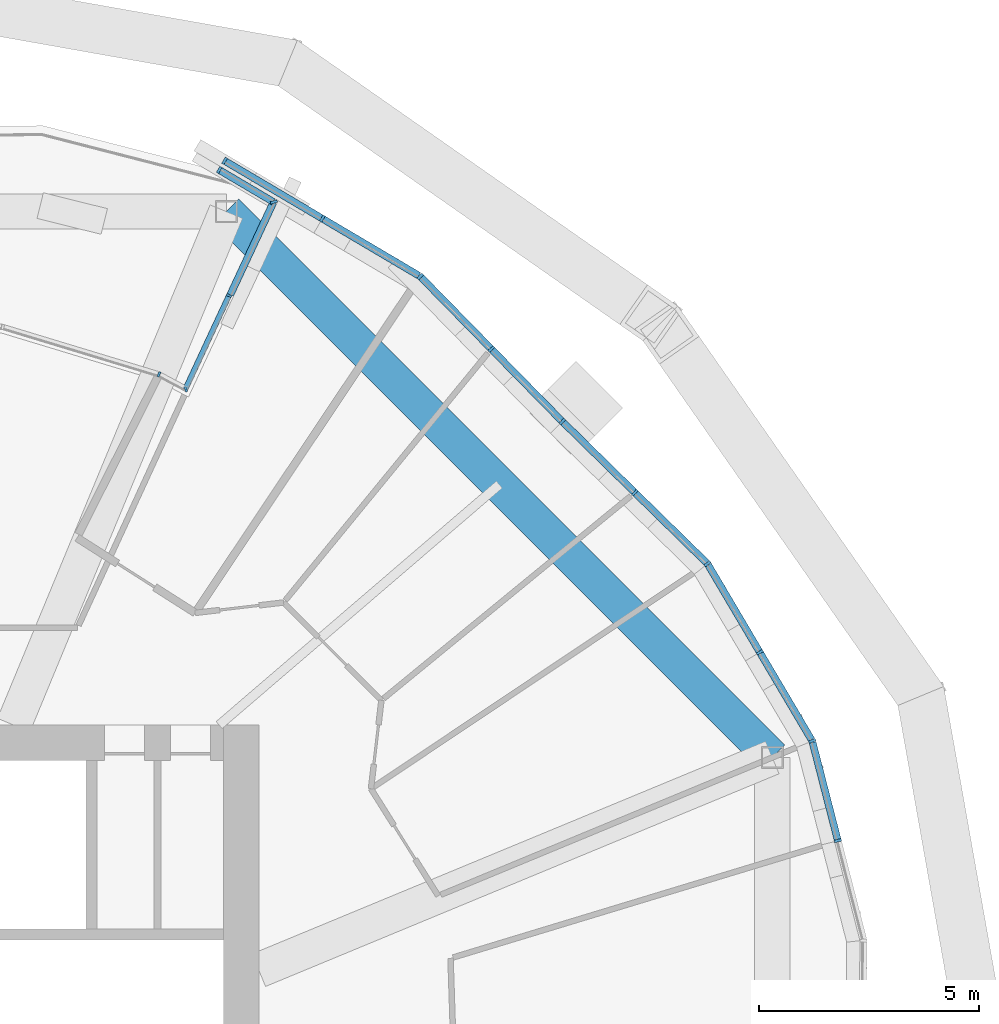
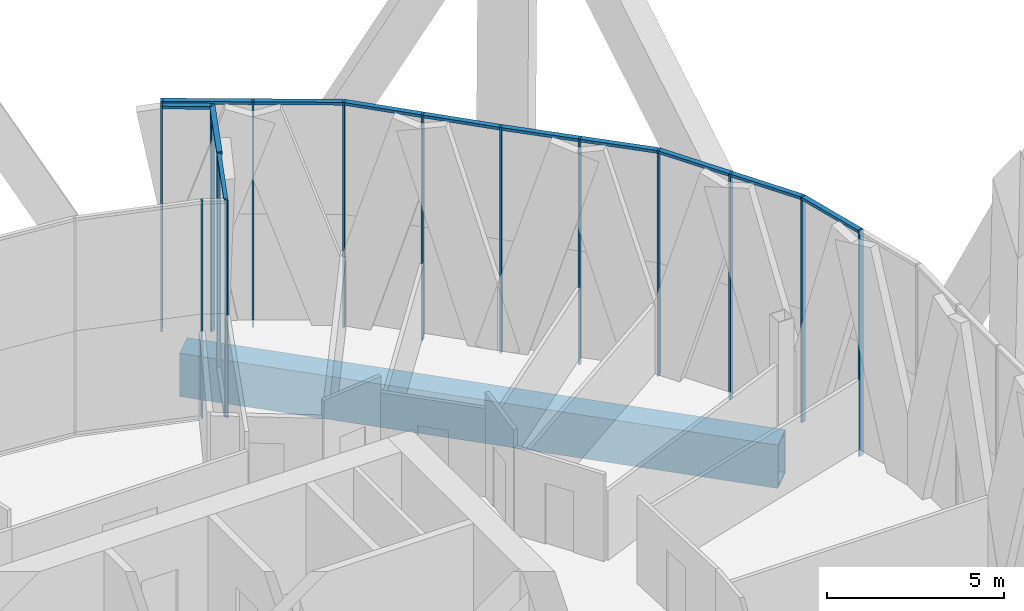
# One storey, part 9 of 31: 28 members, 1 beam, 5 elements without a shape of their own.
"""IFC4 building model written with IfcOpenShell, lengths in metres."""

from ifc_helpers import new_model, si_unit, direction, frame, origin, origin_2d, place, context, subcontext, project, spatial, rectangle, hollow_rectangle, extrude, material, material_profile, profile_set, type_object, element, aggregate, save


model = new_model("IFC4")

# Units and contexts
model_context = context("Model", 3, precision=1e-05, world=origin(), true_north=direction((0.0, 1.0)))
body_context = subcontext(model_context, "Body", "Model", "MODEL_VIEW")
ifc_project = project(units=[si_unit("LENGTHUNIT", "METRE"), si_unit("AREAUNIT", "SQUARE_METRE"), si_unit("VOLUMEUNIT", "CUBIC_METRE"), si_unit("PLANEANGLEUNIT", "RADIAN"), si_unit("MASSUNIT", "GRAM", prefix="KILO")], contexts=[model_context])

# Site, building, storey
site_placement = place(None, origin())
site = spatial("IfcSite", under=ifc_project, at=site_placement, CompositionType="ELEMENT")
building_placement = place(site_placement, origin())
building = spatial("IfcBuilding", under=site, at=building_placement, Name="Ogive Gate Towers", CompositionType="ELEMENT")
storey_placement = place(building_placement, frame((0.0, 0.0, 55.800048828125)))
storey = spatial("IfcBuildingStorey", under=building, at=storey_placement, Name="L12", CompositionType="ELEMENT", Elevation=55.800048828125)

# Beam
ifc_material_1 = material(Name="Steel SM460", Category="steel")
ifc_material_profile_1 = material_profile(ifc_material_1, hollow_rectangle(XDim=0.800048828125, YDim=1.5, WallThickness=0.06005859375, at=origin_2d()), Name="BX 1500x800x60")
ifc_profile_set_1 = profile_set([ifc_material_profile_1], Name="Steel SM460")
beam_type = type_object("IfcBeamType", Name="Edge girder BX 1500x800x60", PredefinedType="BEAM", material=ifc_profile_set_1)
beam_placement = place(storey_placement, frame((-14.84326171875, 8.763427734375, -1.050048828125), z_axis=(-0.707106781187, 0.707106781187, 0.0), x_axis=(-0.707106781187, -0.707106781187, 0.0)))
element("IfcBeam", 1, at=beam_placement, inside=storey, type_object=beam_type, Name="T1/L12/SBM021", PredefinedType="BEAM", context=body_context, shape_type="SweptSolid", body=[
    extrude(hollow_rectangle(XDim=0.800048828125, YDim=1.5, WallThickness=0.06005859375, at=origin_2d()), origin(), (0.0, 0.0, 1.0), 17.52685546875),
])

# Curtain wall, members
ifc_material_2 = material(Name="Pale metal aluminium", Category="aluminium")
curtain_wall_type_1 = type_object("IfcCurtainWallType", Name="Sky garden glazing", PredefinedType="NOTDEFINED", material=ifc_material_2)
curtain_wall_1_placement = place(storey_placement, origin())
curtain_wall_1 = element("IfcCurtainWall", 2, at=curtain_wall_1_placement, inside=storey, type_object=curtain_wall_type_1, Name="CW4 T1 ECW01", PredefinedType="NOTDEFINED")
ifc_material_profile_2 = material_profile(ifc_material_2, rectangle(XDim=0.1201171875, YDim=0.050048828125, at=origin_2d()), Name="50 x 120 aluminium box")
ifc_profile_set_2 = profile_set([ifc_material_profile_2], Name="Pale metal aluminium")
member_type_1 = type_object("IfcMemberType", Name="Sky garden glazing mullion 50 x 120", PredefinedType="MULLION", material=ifc_profile_set_2)
member_1_placement = place(storey_placement, frame((-28.76708984375, 17.4619140625, 0.0), z_axis=(0.0, 0.0, 1.0), x_axis=(-0.382699557047, -0.923872853285, 0.0)))
member_1 = element("IfcMember", 3, at=member_1_placement, type_object=member_type_1, Name="CW4 mullion", PredefinedType="MULLION", context=body_context, shape_type="SweptSolid", body=[
    extrude(rectangle(XDim=0.1201171875, YDim=0.050048828125, at=origin_2d()), origin(), (0.0, 0.0, 1.0), 7.5),
])
member_2_placement = place(storey_placement, frame((-28.15673828125, 17.12158203125, 0.0), z_axis=(0.0, 0.0, 1.0), x_axis=(0.31626172848, -0.948671976554, 0.0)))
member_2 = element("IfcMember", 4, at=member_2_placement, type_object=member_type_1, Name="CW4 mullion", PredefinedType="MULLION", context=body_context, shape_type="SweptSolid", body=[
    extrude(rectangle(XDim=0.1201171875, YDim=0.050048828125, at=origin_2d()), origin(), (0.0, 0.0, 1.0), 7.5),
])
member_3_placement = place(storey_placement, frame((-27.17822265625, 19.24951171875, 0.0), z_axis=(0.0, 0.0, 1.0), x_axis=(0.906307787037, -0.422618261741, 0.0)))
member_3 = element("IfcMember", 5, at=member_3_placement, type_object=member_type_1, Name="CW4 mullion", PredefinedType="MULLION", context=body_context, shape_type="SweptSolid", body=[
    extrude(rectangle(XDim=0.1201171875, YDim=0.050048828125, at=origin_2d()), origin(), (0.0, 0.0, 1.0), 7.5),
])
ifc_material_profile_3 = material_profile(ifc_material_2, rectangle(XDim=0.1201171875, YDim=0.10009765625, at=origin_2d()), Name="100 x 120 aluminium box")
ifc_profile_set_3 = profile_set([ifc_material_profile_3], Name="Pale metal aluminium")
member_type_2 = type_object("IfcMemberType", Name="Sky garden glazing transom 100 x 120", PredefinedType="USERDEFINED", material=ifc_profile_set_3)
member_4_placement = place(storey_placement, frame((-28.169921875, 17.123291015625, 7.449951171875), z_axis=(0.422729988064, 0.906255679812, 0.0), x_axis=(-0.906255679812, 0.422729988064, 0.0)))
member_4 = element("IfcMember", 6, at=member_4_placement, type_object=member_type_2, Name="CW4 transom", ObjectType="TRANSOM", PredefinedType="USERDEFINED", context=body_context, shape_type="SweptSolid", body=[
    extrude(rectangle(XDim=0.1201171875, YDim=0.10009765625, at=origin_2d()), origin(), (0.0, 0.0, 1.0), 2.321044921875),
])
member_5_placement = place(storey_placement, frame((-28.169921875, 17.123291015625, 0.050048828125), z_axis=(0.422729988064, 0.906255679812, 0.0), x_axis=(-0.906255679812, 0.422729988064, 0.0)))
member_5 = element("IfcMember", 7, at=member_5_placement, type_object=member_type_2, Name="CW4 transom", ObjectType="TRANSOM", PredefinedType="USERDEFINED", context=body_context, shape_type="SweptSolid", body=[
    extrude(rectangle(XDim=0.1201171875, YDim=0.10009765625, at=origin_2d()), origin(), (0.0, 0.0, 1.0), 2.321044921875),
])
aggregate(curtain_wall_1, [member_1, member_2, member_3, member_4, member_5])

curtain_wall_type_2 = type_object("IfcCurtainWallType", Name="Tower unitised wall, low zone", PredefinedType="NOTDEFINED", material=ifc_material_2)
curtain_wall_2_placement = place(storey_placement, origin())
curtain_wall_2 = element("IfcCurtainWall", 8, at=curtain_wall_2_placement, inside=storey, type_object=curtain_wall_type_2, Name="CW1 T1 ECW03", PredefinedType="NOTDEFINED")
ifc_material_profile_4 = material_profile(ifc_material_2, rectangle(XDim=0.159912109375, YDim=0.06005859375, at=origin_2d()), Name="60 x 160 aluminium box")
ifc_profile_set_4 = profile_set([ifc_material_profile_4], Name="Pale metal aluminium")
member_type_3 = type_object("IfcMemberType", Name="Tower unitised wall, low zone mullion 60 x 160", PredefinedType="MULLION", material=ifc_profile_set_4)
member_6_placement = place(storey_placement, frame((-19.609375, 16.390869140625, -0.300048828125), z_axis=(0.0, 0.0, 1.0), x_axis=(-0.699800496526, -0.714338340748, 0.0)))
member_6 = element("IfcMember", 9, at=member_6_placement, type_object=member_type_3, Name="CW1 mullion", PredefinedType="MULLION", context=body_context, shape_type="SweptSolid", body=[
    extrude(rectangle(XDim=0.159912109375, YDim=0.06005859375, at=origin_2d()), origin(), (0.0, 0.0, 1.0), 7.800048828125),
])
member_7_placement = place(storey_placement, frame((-17.96337890625, 14.7783203125, -0.300048828125), z_axis=(0.0, 0.0, 1.0), x_axis=(-0.699788028863, -0.714350554462, 0.0)))
member_7 = element("IfcMember", 10, at=member_7_placement, type_object=member_type_3, Name="CW1 mullion", PredefinedType="MULLION", context=body_context, shape_type="SweptSolid", body=[
    extrude(rectangle(XDim=0.159912109375, YDim=0.06005859375, at=origin_2d()), origin(), (0.0, 0.0, 1.0), 7.800048828125),
])
member_8_placement = place(storey_placement, frame((-16.3154296875, 13.163818359375, -0.300048828125), z_axis=(0.0, 0.0, 1.0), x_axis=(-0.787075002703, -0.616857309367, 0.0)))
member_8 = element("IfcMember", 11, at=member_8_placement, type_object=member_type_3, Name="CW1 mullion", PredefinedType="MULLION", context=body_context, shape_type="SweptSolid", body=[
    extrude(rectangle(XDim=0.159912109375, YDim=0.06005859375, at=origin_2d()), origin(), (0.0, 0.0, 1.0), 7.800048828125),
])
member_9_placement = place(storey_placement, frame((-15.1259765625, 11.151611328125, -0.300048828125), z_axis=(0.0, 0.0, 1.0), x_axis=(-0.860901904603, -0.508770980552, 0.0)))
member_9 = element("IfcMember", 12, at=member_9_placement, type_object=member_type_3, Name="CW1 mullion", PredefinedType="MULLION", context=body_context, shape_type="SweptSolid", body=[
    extrude(rectangle(XDim=0.159912109375, YDim=0.06005859375, at=origin_2d()), origin(), (0.0, 0.0, 1.0), 7.800048828125),
])
member_10_placement = place(storey_placement, frame((-13.936767578125, 9.138916015625, -0.300048828125), z_axis=(0.0, 0.0, 1.0), x_axis=(-0.923879532511, -0.382683432365, 0.0)))
member_10 = element("IfcMember", 13, at=member_10_placement, type_object=member_type_3, Name="CW1 mullion", PredefinedType="MULLION", context=body_context, shape_type="SweptSolid", body=[
    extrude(rectangle(XDim=0.159912109375, YDim=0.06005859375, at=origin_2d()), origin(), (0.0, 0.0, 1.0), 7.800048828125),
])
member_11_placement = place(storey_placement, frame((-13.3544921875, 6.874755859375, -0.300048828125), z_axis=(0.0, 0.0, 1.0), x_axis=(-0.96850933072, -0.248977260623, 0.0)))
member_11 = element("IfcMember", 14, at=member_11_placement, type_object=member_type_3, Name="CW1 mullion", PredefinedType="MULLION", context=body_context, shape_type="SweptSolid", body=[
    extrude(rectangle(XDim=0.159912109375, YDim=0.06005859375, at=origin_2d()), origin(), (0.0, 0.0, 1.0), 7.800048828125),
])

curtain_wall_3_placement = place(storey_placement, origin())
curtain_wall_3 = element("IfcCurtainWall", 15, at=curtain_wall_3_placement, inside=storey, type_object=curtain_wall_type_2, Name="CW1 T1 ECW04", PredefinedType="NOTDEFINED")
member_12_placement = place(storey_placement, frame((-22.834228515625, 19.682861328125, -0.300048828125), z_axis=(0.0, 0.0, 1.0), x_axis=(-0.714362767958, -0.699775560987, 0.0)))
member_12 = element("IfcMember", 16, at=member_12_placement, type_object=member_type_3, Name="CW1 mullion", PredefinedType="MULLION", context=body_context, shape_type="SweptSolid", body=[
    extrude(rectangle(XDim=0.159912109375, YDim=0.06005859375, at=origin_2d()), origin(), (0.0, 0.0, 1.0), 7.800048828125),
])
member_13_placement = place(storey_placement, frame((-21.2216796875, 18.03662109375, -0.300048828125), z_axis=(0.0, 0.0, 1.0), x_axis=(-0.714350554462, -0.699788028863, 0.0)))
member_13 = element("IfcMember", 17, at=member_13_placement, type_object=member_type_3, Name="CW1 mullion", PredefinedType="MULLION", context=body_context, shape_type="SweptSolid", body=[
    extrude(rectangle(XDim=0.159912109375, YDim=0.06005859375, at=origin_2d()), origin(), (0.0, 0.0, 1.0), 7.800048828125),
])

curtain_wall_4_placement = place(storey_placement, origin())
curtain_wall_4 = element("IfcCurtainWall", 18, at=curtain_wall_4_placement, inside=storey, type_object=curtain_wall_type_2, Name="CW1 T1 ECW04b", PredefinedType="NOTDEFINED")
member_14_placement = place(storey_placement, frame((-26.158935546875, 21.375732421875, -0.300048828125), z_axis=(0.0, 0.0, 1.0), x_axis=(0.955237064178, 0.295841429183, 0.0)))
member_14 = element("IfcMember", 19, at=member_14_placement, type_object=member_type_3, Name="CW1 mullion", PredefinedType="MULLION", context=body_context, shape_type="SweptSolid", body=[
    extrude(rectangle(XDim=0.159912109375, YDim=0.06005859375, at=origin_2d()), origin(), (0.0, 0.0, 1.0), 7.800048828125),
])
member_15_placement = place(storey_placement, frame((-27.39892578125, 22.1025390625, -0.300048828125), z_axis=(0.0, 0.0, 1.0), x_axis=(0.508786006047, 0.860893024743, 0.0)))
member_15 = element("IfcMember", 20, at=member_15_placement, type_object=member_type_3, Name="CW1 mullion", PredefinedType="MULLION", context=body_context, shape_type="SweptSolid", body=[
    extrude(rectangle(XDim=0.159912109375, YDim=0.06005859375, at=origin_2d()), origin(), (0.0, 0.0, 1.0), 7.800048828125),
])

curtain_wall_5_placement = place(storey_placement, origin())
curtain_wall_5 = element("IfcCurtainWall", 21, at=curtain_wall_5_placement, inside=storey, type_object=curtain_wall_type_2, Name="CW1 T1 ECW04c", PredefinedType="NOTDEFINED")
member_16_placement = place(storey_placement, frame((-27.27685546875, 22.30908203125, -0.300048828125), z_axis=(0.0, 0.0, 1.0), x_axis=(-0.508801031387, -0.860884144621, 0.0)))
member_16 = element("IfcMember", 22, at=member_16_placement, type_object=member_type_3, Name="CW1 mullion", PredefinedType="MULLION", context=body_context, shape_type="SweptSolid", body=[
    extrude(rectangle(XDim=0.159912109375, YDim=0.06005859375, at=origin_2d()), origin(), (0.0, 0.0, 1.0), 7.800048828125),
])
member_17_placement = place(storey_placement, frame((-25.0576171875, 20.99755859375, -0.300048828125), z_axis=(0.0, 0.0, 1.0), x_axis=(-0.508786006047, -0.860893024743, 0.0)))
member_17 = element("IfcMember", 23, at=member_17_placement, type_object=member_type_3, Name="CW1 mullion", PredefinedType="MULLION", context=body_context, shape_type="SweptSolid", body=[
    extrude(rectangle(XDim=0.159912109375, YDim=0.06005859375, at=origin_2d()), origin(), (0.0, 0.0, 1.0), 7.800048828125),
])

# Member
ifc_material_profile_5 = material_profile(ifc_material_2, rectangle(XDim=0.159912109375, YDim=0.10009765625, at=origin_2d()), Name="100 x 160 aluminium box")
ifc_profile_set_5 = profile_set([ifc_material_profile_5], Name="Pale metal aluminium")
member_type_4 = type_object("IfcMemberType", Name="Tower unitised wall, low zone transom 100 x 160", PredefinedType="USERDEFINED", material=ifc_profile_set_5)
member_18_placement = place(storey_placement, frame((-19.587890625, 16.369873046875, 7.449951171875), z_axis=(0.714357471611, -0.699780967698, 0.0), x_axis=(0.699780967698, 0.714357471611, 0.0)))
member_18 = element("IfcMember", 24, at=member_18_placement, type_object=member_type_4, Name="CW1 transom", ObjectType="TRANSOM", PredefinedType="USERDEFINED", context=body_context, shape_type="SweptSolid", body=[
    extrude(rectangle(XDim=0.159912109375, YDim=0.10009765625, at=origin_2d()), origin(), (0.0, 0.0, 1.0), 2.244384765625),
])

member_19_placement = place(storey_placement, frame((-17.94189453125, 14.75732421875, 7.449951171875), z_axis=(0.714357471611, -0.699780967698, 0.0), x_axis=(0.699780967698, 0.714357471611, 0.0)))
member_19 = element("IfcMember", 25, at=member_19_placement, type_object=member_type_4, Name="CW1 transom", ObjectType="TRANSOM", PredefinedType="USERDEFINED", context=body_context, shape_type="SweptSolid", body=[
    extrude(rectangle(XDim=0.159912109375, YDim=0.10009765625, at=origin_2d()), origin(), (0.0, 0.0, 1.0), 2.244384765625),
])

member_20_placement = place(storey_placement, frame((-16.298583984375, 13.1357421875, 7.449951171875), z_axis=(0.508787159953, -0.860892342785, 0.0), x_axis=(0.860892342785, 0.508787159953, 0.0)))
member_20 = element("IfcMember", 26, at=member_20_placement, type_object=member_type_4, Name="CW1 transom", ObjectType="TRANSOM", PredefinedType="USERDEFINED", context=body_context, shape_type="SweptSolid", body=[
    extrude(rectangle(XDim=0.159912109375, YDim=0.10009765625, at=origin_2d()), origin(), (0.0, 0.0, 1.0), 2.27490234375),
])

member_21_placement = place(storey_placement, frame((-15.110595703125, 11.12548828125, 7.449951171875), z_axis=(0.508754624554, -0.860911570369, 0.0), x_axis=(0.860911570369, 0.508754624554, 0.0)))
member_21 = element("IfcMember", 27, at=member_21_placement, type_object=member_type_4, Name="CW1 transom", ObjectType="TRANSOM", PredefinedType="USERDEFINED", context=body_context, shape_type="SweptSolid", body=[
    extrude(rectangle(XDim=0.159912109375, YDim=0.10009765625, at=origin_2d()), origin(), (0.0, 0.0, 1.0), 2.274658203125),
])

member_22_placement = place(storey_placement, frame((-13.928466796875, 9.107177734375, 7.449951171875), z_axis=(0.248969140197, -0.968511418224, 0.0), x_axis=(0.968511418224, 0.248969140197, 0.0)))
member_22 = element("IfcMember", 28, at=member_22_placement, type_object=member_type_4, Name="CW1 transom", ObjectType="TRANSOM", PredefinedType="USERDEFINED", context=body_context, shape_type="SweptSolid", body=[
    extrude(rectangle(XDim=0.159912109375, YDim=0.10009765625, at=origin_2d()), origin(), (0.0, 0.0, 1.0), 2.27490234375),
])

aggregate(curtain_wall_2, [member_6, member_7, member_18, member_8, member_19, member_9, member_20, member_10, member_21, member_11, member_22])

member_23_placement = place(storey_placement, frame((-22.813232421875, 19.661376953125, 7.449951171875), z_axis=(0.699780967698, -0.714357471611, 0.0), x_axis=(0.714357471611, 0.699780967698, 0.0)))
member_23 = element("IfcMember", 29, at=member_23_placement, type_object=member_type_4, Name="CW1 transom", ObjectType="TRANSOM", PredefinedType="USERDEFINED", context=body_context, shape_type="SweptSolid", body=[
    extrude(rectangle(XDim=0.159912109375, YDim=0.10009765625, at=origin_2d()), origin(), (0.0, 0.0, 1.0), 2.244384765625),
])

member_24_placement = place(storey_placement, frame((-21.20068359375, 18.015380859375, 7.449951171875), z_axis=(0.699780967698, -0.714357471611, 0.0), x_axis=(0.714357471611, 0.699780967698, 0.0)))
member_24 = element("IfcMember", 30, at=member_24_placement, type_object=member_type_4, Name="CW1 transom", ObjectType="TRANSOM", PredefinedType="USERDEFINED", context=body_context, shape_type="SweptSolid", body=[
    extrude(rectangle(XDim=0.159912109375, YDim=0.10009765625, at=origin_2d()), origin(), (0.0, 0.0, 1.0), 2.244384765625),
])

aggregate(curtain_wall_3, [member_12, member_13, member_23, member_24])

member_25_placement = place(storey_placement, frame((-27.1474609375, 19.268310546875, 7.449951171875), z_axis=(0.422665690825, 0.90628566898, 0.0), x_axis=(-0.90628566898, 0.422665690825, 0.0)))
member_25 = element("IfcMember", 31, at=member_25_placement, type_object=member_type_4, Name="CW1 transom", ObjectType="TRANSOM", PredefinedType="USERDEFINED", context=body_context, shape_type="SweptSolid", body=[
    extrude(rectangle(XDim=0.159912109375, YDim=0.10009765625, at=origin_2d()), origin(), (0.0, 0.0, 1.0), 2.31103515625),
])

member_26_placement = place(storey_placement, frame((-26.17578125, 21.379638671875, 7.449951171875), z_axis=(-0.860912548161, 0.508752969937, 0.0), x_axis=(-0.508752969937, -0.860912548161, 0.0)))
member_26 = element("IfcMember", 32, at=member_26_placement, type_object=member_type_4, Name="CW1 transom", ObjectType="TRANSOM", PredefinedType="USERDEFINED", context=body_context, shape_type="SweptSolid", body=[
    extrude(rectangle(XDim=0.159912109375, YDim=0.10009765625, at=origin_2d()), origin(), (0.0, 0.0, 1.0), 1.390625),
])

aggregate(curtain_wall_4, [member_14, member_25, member_15, member_26])

member_27_placement = place(storey_placement, frame((-27.2509765625, 22.2939453125, 7.449951171875), z_axis=(0.860845441806, -0.508866510317, 0.0), x_axis=(0.508866510317, 0.860845441806, 0.0)))
member_27 = element("IfcMember", 33, at=member_27_placement, type_object=member_type_4, Name="CW1 transom", ObjectType="TRANSOM", PredefinedType="USERDEFINED", context=body_context, shape_type="SweptSolid", body=[
    extrude(rectangle(XDim=0.159912109375, YDim=0.10009765625, at=origin_2d()), origin(), (0.0, 0.0, 1.0), 2.517822265625),
])

member_28_placement = place(storey_placement, frame((-25.03173828125, 20.982421875, 7.449951171875), z_axis=(0.860887916461, -0.508794649433, 0.0), x_axis=(0.508794649433, 0.860887916461, 0.0)))
member_28 = element("IfcMember", 34, at=member_28_placement, type_object=member_type_4, Name="CW1 transom", ObjectType="TRANSOM", PredefinedType="USERDEFINED", context=body_context, shape_type="SweptSolid", body=[
    extrude(rectangle(XDim=0.159912109375, YDim=0.10009765625, at=origin_2d()), origin(), (0.0, 0.0, 1.0), 2.517822265625),
])

aggregate(curtain_wall_5, [member_16, member_17, member_27, member_28])

save(model, "model.ifc")
